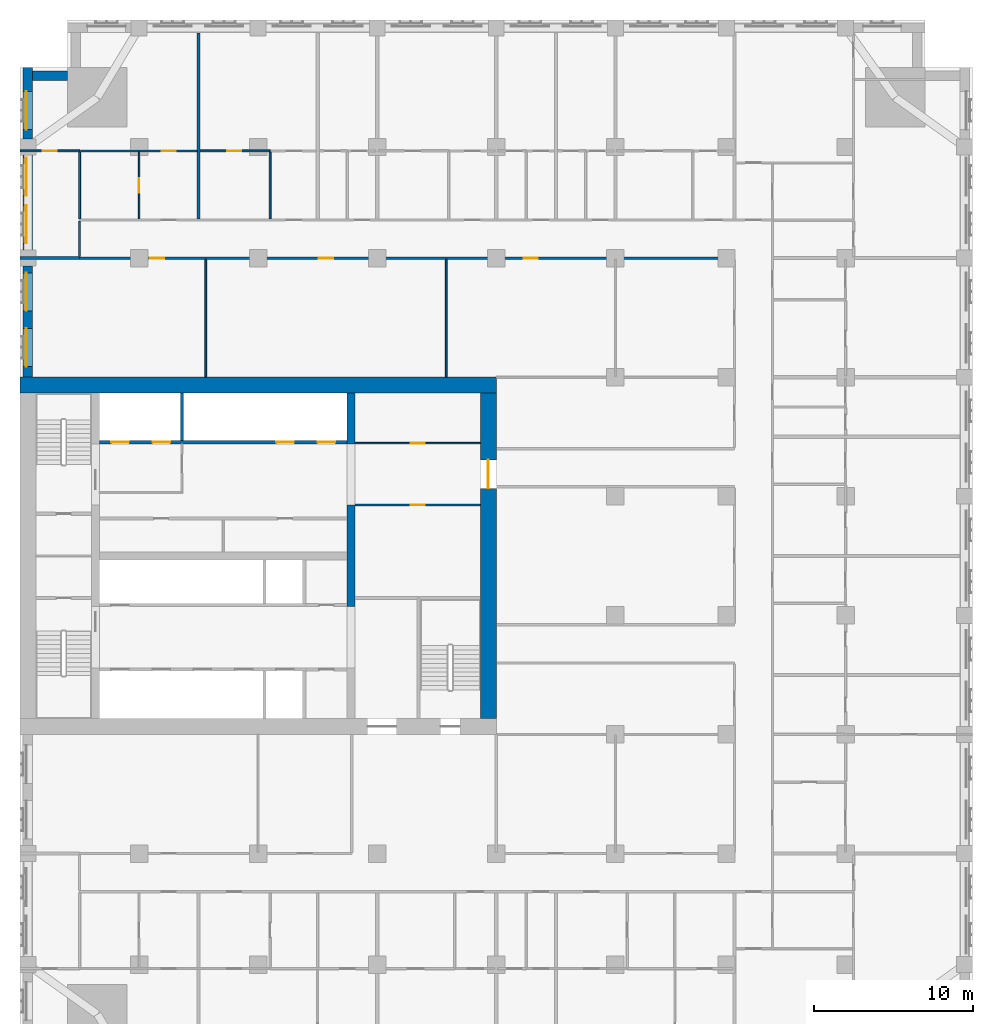
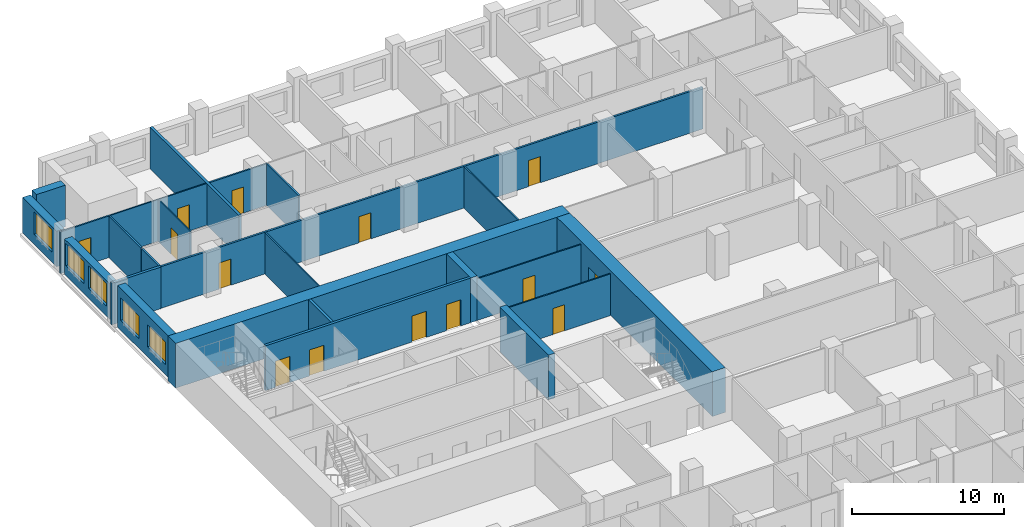
# One storey, part 8 of 14: 24 walls, 14 doors, 5 windows, 19 openings.
"""IFC4 building model written with IfcOpenShell, lengths in metres."""

from ifc_helpers import new_model, si_unit, direction, frame, frame_2d, origin, place, context, subcontext, project, spatial, rectangle, extrude, material, layer, layer_set, type_object, element, fill, save


model = new_model("IFC4")

# Units and contexts
model_context = context("Model", 3, precision=1e-05, world=origin(), true_north=direction((0.0, 1.0)))
body_context = subcontext(model_context, "Body", "Model", "MODEL_VIEW")
ifc_project = project(units=[si_unit("LENGTHUNIT", "METRE"), si_unit("AREAUNIT", "SQUARE_METRE"), si_unit("VOLUMEUNIT", "CUBIC_METRE"), si_unit("PLANEANGLEUNIT", "RADIAN"), si_unit("MASSUNIT", "GRAM", prefix="KILO")], contexts=[model_context])

# Site, building, storey
site_placement = place(None, origin())
site = spatial("IfcSite", under=ifc_project, at=site_placement, CompositionType="ELEMENT")
building_placement = place(site_placement, origin())
building = spatial("IfcBuilding", under=site, at=building_placement, Name="Tamorin Gate", CompositionType="ELEMENT")
storey_placement = place(building_placement, frame((0.0, 0.0, 93.5)))
storey = spatial("IfcBuildingStorey", under=building, at=storey_placement, Name="L22", CompositionType="ELEMENT", Elevation=93.5)

# Wall
ifc_material_1 = material(Name="Precast concrete C40/50", Category="concrete")
ifc_layer_1 = layer(ifc_material_1, 0.60009765625)
ifc_layer_set_1 = layer_set([ifc_layer_1], Name="Precast concrete C40/50")
wall_type_1 = type_object("IfcWallType", Name="Board-marked concrete facade panel 600", PredefinedType="SOLIDWALL", material=ifc_layer_set_1)
wall_1_placement = place(storey_placement, frame((33.0, 101.5, 0.0), z_axis=(0.0, 0.0, 1.0), x_axis=(-1.0, 0.0, 0.0)))
element("IfcWall", 1, at=wall_1_placement, inside=storey, type_object=wall_type_1, Name="Facade panel", PredefinedType="SOLIDWALL", context=body_context, shape_type="SweptSolid", body=[
    extrude(rectangle(XDim=2.199951171875, YDim=0.60009765625, at=frame_2d((1.10009765625, 0.0))), origin(), (0.0, 0.0, 1.0), 3.35009765625),
])

# Wall, opening, window
wall_2_placement = place(storey_placement, frame((30.5, 102.0, 0.0), z_axis=(0.0, 0.0, 1.0), x_axis=(0.0, -1.0, 0.0)))
wall_2 = element("IfcWall", 2, at=wall_2_placement, inside=storey, type_object=wall_type_1, Name="Facade panel", PredefinedType="SOLIDWALL", context=body_context, shape_type="SweptSolid", body=[
    extrude(rectangle(XDim=4.5, YDim=0.60009765625, at=frame_2d((2.25, 0.0))), origin(), (0.0, 0.0, 1.0), 2.85009765625),
])
opening_1_placement = place(wall_2_placement, frame((1.5, 0.0, 0.800048828125)))
opening_1 = element("IfcOpeningElement", 3, at=opening_1_placement, cuts=wall_2, Name="Opening WN1", PredefinedType="OPENING", context=body_context, shape_type="SweptSolid", body=[
    extrude(rectangle(XDim=2.39990234375, YDim=1.800048828125, at=frame_2d((1.199951171875, 0.89990234375))), frame((0.0, 0.31005859375, 0.0), z_axis=(0.0, -1.0, 0.0), x_axis=(1.0, 0.0, 0.0)), (0.0, 0.0, 1.0), 0.6201171875),
])
ifc_material_2 = material(Name="Clear glass in aluminium frame", Category="aluminium")
window_type = type_object("IfcWindowType", Name="Deep-set window 2400x1800", PartitioningType="SINGLE_PANEL", PredefinedType="WINDOW", material=ifc_material_2)
window_1_placement = place(opening_1_placement, origin())
window_1 = element("IfcWindow", 4, at=window_1_placement, inside=storey, type_object=window_type, Name="Deep-set window", OverallHeight=1.800048828125, OverallWidth=2.39990234375, PartitioningType="SINGLE_PANEL", PredefinedType="WINDOW", context=body_context, shape_type="SweptSolid", body=[
    extrude(rectangle(XDim=2.39990234375, YDim=1.800048828125, at=frame_2d((1.199951171875, 0.89990234375))), frame((0.0, -0.070068359375, 0.0), z_axis=(0.0, -1.0, 0.0), x_axis=(1.0, 0.0, 0.0)), (0.0, 0.0, 1.0), 0.06005859375),
])
fill(opening_1, window_1)

# Wall, openings, windows
wall_3_placement = place(storey_placement, frame((30.5, 96.5, 0.0), z_axis=(0.0, 0.0, 1.0), x_axis=(0.0, -1.0, 0.0)))
wall_3 = element("IfcWall", 5, at=wall_3_placement, inside=storey, type_object=wall_type_1, Name="Facade panel", PredefinedType="SOLIDWALL", context=body_context, shape_type="SweptSolid", body=[
    extrude(rectangle(XDim=6.0, YDim=0.60009765625, at=frame_2d((3.0, 0.0))), origin(), (0.0, 0.0, 1.0), 2.85009765625),
])
opening_2_placement = place(wall_3_placement, frame((3.175048828125, 0.0, 0.800048828125)))
opening_2 = element("IfcOpeningElement", 6, at=opening_2_placement, cuts=wall_3, Name="Opening WN1", PredefinedType="OPENING", context=body_context, shape_type="SweptSolid", body=[
    extrude(rectangle(XDim=2.39990234375, YDim=1.800048828125, at=frame_2d((1.199951171875, 0.89990234375))), frame((0.0, 0.31005859375, 0.0), z_axis=(0.0, -1.0, 0.0), x_axis=(1.0, 0.0, 0.0)), (0.0, 0.0, 1.0), 0.6201171875),
])
opening_3_placement = place(wall_3_placement, frame((0.175048828125, 0.0, 0.800048828125)))
opening_3 = element("IfcOpeningElement", 7, at=opening_3_placement, cuts=wall_3, Name="Opening WN1", PredefinedType="OPENING", context=body_context, shape_type="SweptSolid", body=[
    extrude(rectangle(XDim=2.39990234375, YDim=1.800048828125, at=frame_2d((1.199951171875, 0.89990234375))), frame((0.0, 0.31005859375, 0.0), z_axis=(0.0, -1.0, 0.0), x_axis=(1.0, 0.0, 0.0)), (0.0, 0.0, 1.0), 0.6201171875),
])
window_2_placement = place(opening_2_placement, origin())
window_2 = element("IfcWindow", 8, at=window_2_placement, inside=storey, type_object=window_type, Name="Deep-set window", OverallHeight=1.800048828125, OverallWidth=2.39990234375, PartitioningType="SINGLE_PANEL", PredefinedType="WINDOW", context=body_context, shape_type="SweptSolid", body=[
    extrude(rectangle(XDim=2.39990234375, YDim=1.800048828125, at=frame_2d((1.199951171875, 0.89990234375))), frame((0.0, -0.070068359375, 0.0), z_axis=(0.0, -1.0, 0.0), x_axis=(1.0, 0.0, 0.0)), (0.0, 0.0, 1.0), 0.06005859375),
])
fill(opening_2, window_2)
window_3_placement = place(opening_3_placement, origin())
window_3 = element("IfcWindow", 9, at=window_3_placement, inside=storey, type_object=window_type, Name="Deep-set window", OverallHeight=1.800048828125, OverallWidth=2.39990234375, PartitioningType="SINGLE_PANEL", PredefinedType="WINDOW", context=body_context, shape_type="SweptSolid", body=[
    extrude(rectangle(XDim=2.39990234375, YDim=1.800048828125, at=frame_2d((1.199951171875, 0.89990234375))), frame((0.0, -0.070068359375, 0.0), z_axis=(0.0, -1.0, 0.0), x_axis=(1.0, 0.0, 0.0)), (0.0, 0.0, 1.0), 0.06005859375),
])
fill(opening_3, window_3)

wall_4_placement = place(storey_placement, frame((30.5, 89.5, 0.0), z_axis=(0.0, 0.0, 1.0), x_axis=(0.0, -1.0, 0.0)))
wall_4 = element("IfcWall", 10, at=wall_4_placement, inside=storey, type_object=wall_type_1, Name="Facade panel", PredefinedType="SOLIDWALL", context=body_context, shape_type="SweptSolid", body=[
    extrude(rectangle(XDim=7.0, YDim=0.60009765625, at=frame_2d((3.5, 0.0))), origin(), (0.0, 0.0, 1.0), 3.35009765625),
])
opening_4_placement = place(wall_4_placement, frame((3.925048828125, 0.0, 0.800048828125)))
opening_4 = element("IfcOpeningElement", 11, at=opening_4_placement, cuts=wall_4, Name="Opening WN1", PredefinedType="OPENING", context=body_context, shape_type="SweptSolid", body=[
    extrude(rectangle(XDim=2.39990234375, YDim=1.800048828125, at=frame_2d((1.199951171875, 0.89990234375))), frame((0.0, 0.31005859375, 0.0), z_axis=(0.0, -1.0, 0.0), x_axis=(1.0, 0.0, 0.0)), (0.0, 0.0, 1.0), 0.6201171875),
])
opening_5_placement = place(wall_4_placement, frame((0.425048828125, 0.0, 0.800048828125)))
opening_5 = element("IfcOpeningElement", 12, at=opening_5_placement, cuts=wall_4, Name="Opening WN1", PredefinedType="OPENING", context=body_context, shape_type="SweptSolid", body=[
    extrude(rectangle(XDim=2.39990234375, YDim=1.800048828125, at=frame_2d((1.199951171875, 0.89990234375))), frame((0.0, 0.31005859375, 0.0), z_axis=(0.0, -1.0, 0.0), x_axis=(1.0, 0.0, 0.0)), (0.0, 0.0, 1.0), 0.6201171875),
])
window_4_placement = place(opening_4_placement, origin())
window_4 = element("IfcWindow", 13, at=window_4_placement, inside=storey, type_object=window_type, Name="Deep-set window", OverallHeight=1.800048828125, OverallWidth=2.39990234375, PartitioningType="SINGLE_PANEL", PredefinedType="WINDOW", context=body_context, shape_type="SweptSolid", body=[
    extrude(rectangle(XDim=2.39990234375, YDim=1.800048828125, at=frame_2d((1.199951171875, 0.89990234375))), frame((0.0, -0.070068359375, 0.0), z_axis=(0.0, -1.0, 0.0), x_axis=(1.0, 0.0, 0.0)), (0.0, 0.0, 1.0), 0.06005859375),
])
fill(opening_4, window_4)
window_5_placement = place(opening_5_placement, origin())
window_5 = element("IfcWindow", 14, at=window_5_placement, inside=storey, type_object=window_type, Name="Deep-set window", OverallHeight=1.800048828125, OverallWidth=2.39990234375, PartitioningType="SINGLE_PANEL", PredefinedType="WINDOW", context=body_context, shape_type="SweptSolid", body=[
    extrude(rectangle(XDim=2.39990234375, YDim=1.800048828125, at=frame_2d((1.199951171875, 0.89990234375))), frame((0.0, -0.070068359375, 0.0), z_axis=(0.0, -1.0, 0.0), x_axis=(1.0, 0.0, 0.0)), (0.0, 0.0, 1.0), 0.06005859375),
])
fill(opening_5, window_5)

# Wall, openings, doors
ifc_material_3 = material(Name="Gypsum board partition")
ifc_layer_2 = layer(ifc_material_3, 0.14990234375)
ifc_layer_set_2 = layer_set([ifc_layer_2], Name="Corridor wall 150")
wall_type_2 = type_object("IfcWallType", Name="Corridor wall 150", PredefinedType="PARTITIONING", material=ifc_layer_set_2)
wall_5_placement = place(storey_placement, frame((33.75, 90.0, 0.0), z_axis=(0.0, 0.0, 1.0), x_axis=(1.0, 0.0, 0.0)))
wall_5 = element("IfcWall", 15, at=wall_5_placement, inside=storey, type_object=wall_type_2, Name="Corridor wall 150", PredefinedType="PARTITIONING", context=body_context, shape_type="SweptSolid", body=[
    extrude(rectangle(XDim=41.25, YDim=0.14990234375, at=frame_2d((20.625, 0.0))), origin(), (0.0, 0.0, 1.0), 3.35009765625),
])
opening_6_placement = place(wall_5_placement, frame((4.425048828125, 0.0, 0.0)))
opening_6 = element("IfcOpeningElement", 16, at=opening_6_placement, cuts=wall_5, Name="Opening DH5076", PredefinedType="OPENING", context=body_context, shape_type="SweptSolid", body=[
    extrude(rectangle(XDim=0.89990234375, YDim=2.10009765625, at=frame_2d((0.449951171875, 1.050048828125))), frame((0.0, 0.0849609375, 0.0), z_axis=(0.0, -1.0, 0.0), x_axis=(1.0, 0.0, 0.0)), (0.0, 0.0, 1.0), 0.169921875),
])
opening_7_placement = place(wall_5_placement, frame((15.074951171875, 0.0, 0.0)))
opening_7 = element("IfcOpeningElement", 17, at=opening_7_placement, cuts=wall_5, Name="Opening DH5077", PredefinedType="OPENING", context=body_context, shape_type="SweptSolid", body=[
    extrude(rectangle(XDim=0.89990234375, YDim=2.10009765625, at=frame_2d((0.449951171875, 1.050048828125))), frame((0.0, 0.0849609375, 0.0), z_axis=(0.0, -1.0, 0.0), x_axis=(1.0, 0.0, 0.0)), (0.0, 0.0, 1.0), 0.169921875),
])
opening_8_placement = place(wall_5_placement, frame((27.97509765625, 0.0, 0.0)))
opening_8 = element("IfcOpeningElement", 18, at=opening_8_placement, cuts=wall_5, Name="Opening DH5078", PredefinedType="OPENING", context=body_context, shape_type="SweptSolid", body=[
    extrude(rectangle(XDim=0.89990234375, YDim=2.10009765625, at=frame_2d((0.449951171875, 1.050048828125))), frame((0.0, 0.0849609375, 0.0), z_axis=(0.0, -1.0, 0.0), x_axis=(1.0, 0.0, 0.0)), (0.0, 0.0, 1.0), 0.169921875),
])
ifc_material_4 = material(Name="Timber door leaf", Category="wood")
door_type_1 = type_object("IfcDoorType", Name="Door 900 x 2100 FD30S", OperationType="NOTDEFINED", PredefinedType="DOOR", material=ifc_material_4)
door_1_placement = place(opening_6_placement, origin())
door_1 = element("IfcDoor", 19, at=door_1_placement, inside=storey, type_object=door_type_1, Name="Door DH5076", OperationType="SINGLE_SWING_LEFT", OverallHeight=2.10009765625, OverallWidth=0.89990234375, PredefinedType="DOOR", context=body_context, shape_type="SweptSolid", body=[
    extrude(rectangle(XDim=0.89990234375, YDim=2.10009765625, at=frame_2d((0.449951171875, 1.050048828125))), frame((0.0, 0.02490234375, 0.0), z_axis=(0.0, -1.0, 0.0), x_axis=(1.0, 0.0, 0.0)), (0.0, 0.0, 1.0), 0.050048828125),
])
fill(opening_6, door_1)
door_2_placement = place(opening_7_placement, origin())
door_2 = element("IfcDoor", 20, at=door_2_placement, inside=storey, type_object=door_type_1, Name="Door DH5077", OperationType="SINGLE_SWING_RIGHT", OverallHeight=2.10009765625, OverallWidth=0.89990234375, PredefinedType="DOOR", context=body_context, shape_type="SweptSolid", body=[
    extrude(rectangle(XDim=0.89990234375, YDim=2.10009765625, at=frame_2d((0.449951171875, 1.050048828125))), frame((0.0, 0.02490234375, 0.0), z_axis=(0.0, -1.0, 0.0), x_axis=(1.0, 0.0, 0.0)), (0.0, 0.0, 1.0), 0.050048828125),
])
fill(opening_7, door_2)
door_3_placement = place(opening_8_placement, origin())
door_3 = element("IfcDoor", 21, at=door_3_placement, inside=storey, type_object=door_type_1, Name="Door DH5078", OperationType="SINGLE_SWING_RIGHT", OverallHeight=2.10009765625, OverallWidth=0.89990234375, PredefinedType="DOOR", context=body_context, shape_type="SweptSolid", body=[
    extrude(rectangle(XDim=0.89990234375, YDim=2.10009765625, at=frame_2d((0.449951171875, 1.050048828125))), frame((0.0, 0.02490234375, 0.0), z_axis=(0.0, -1.0, 0.0), x_axis=(1.0, 0.0, 0.0)), (0.0, 0.0, 1.0), 0.050048828125),
])
fill(opening_8, door_3)

# Walls
wall_6_placement = place(storey_placement, frame((33.75, 90.10009765625, 0.0), z_axis=(0.0, 0.0, 1.0), x_axis=(0.0, 1.0, 0.0)))
element("IfcWall", 22, at=wall_6_placement, inside=storey, type_object=wall_type_2, Name="Corridor wall 150", PredefinedType="PARTITIONING", context=body_context, shape_type="SweptSolid", body=[
    extrude(rectangle(XDim=2.224853515625, YDim=0.14990234375, at=frame_2d((1.1123046875, 0.0))), origin(), (0.0, 0.0, 1.0), 3.35009765625),
])
ifc_layer_3 = layer(ifc_material_3, 0.199951171875)
ifc_layer_set_3 = layer_set([ifc_layer_3], Name="Demising wall 200")
wall_type_3 = type_object("IfcWallType", Name="Demising wall 200", PredefinedType="PARTITIONING", material=ifc_layer_set_3)
wall_7_placement = place(storey_placement, frame((30.0, 90.0, 0.0), z_axis=(0.0, 0.0, 1.0), x_axis=(1.0, 0.0, 0.0)))
element("IfcWall", 23, at=wall_7_placement, inside=storey, type_object=wall_type_3, Name="Demising wall 200", PredefinedType="PARTITIONING", context=body_context, shape_type="SweptSolid", body=[
    extrude(rectangle(XDim=3.75, YDim=0.199951171875, at=frame_2d((1.875, 0.0))), origin(), (0.0, 0.0, 1.0), 3.35009765625),
])
wall_8_placement = place(storey_placement, frame((41.25, 92.47509765625, 0.0), z_axis=(0.0, 0.0, 1.0), x_axis=(0.0, 1.0, 0.0)))
element("IfcWall", 24, at=wall_8_placement, inside=storey, type_object=wall_type_3, Name="Demising wall 200", PredefinedType="PARTITIONING", context=body_context, shape_type="SweptSolid", body=[
    extrude(rectangle(XDim=11.71484375, YDim=0.199951171875, at=frame_2d((5.857421875, 0.0))), origin(), (0.0, 0.0, 1.0), 3.35009765625),
])

# Wall, openings, doors
ifc_material_5 = material(Name="Concrete C32/40", Category="concrete")
ifc_layer_4 = layer(ifc_material_5, 0.199951171875)
ifc_layer_set_4 = layer_set([ifc_layer_4], Name="Lift lobby face wall 200 EI 120")
wall_type_4 = type_object("IfcWallType", Name="Lift lobby face wall 200 EI 120", PredefinedType="SOLIDWALL", material=ifc_layer_set_4)
wall_9_placement = place(storey_placement, frame((35.0, 78.39990234375, 0.0), z_axis=(0.0, 0.0, 1.0), x_axis=(1.0, 0.0, 0.0)))
wall_9 = element("IfcWall", 25, at=wall_9_placement, inside=storey, type_object=wall_type_4, Name="Lift lobby face wall", PredefinedType="SOLIDWALL", context=body_context, shape_type="SweptSolid", body=[
    extrude(rectangle(XDim=15.60009765625, YDim=0.199951171875, at=frame_2d((7.800048828125, 0.0))), origin(), (0.0, 0.0, 1.0), 3.60009765625),
])
opening_9_placement = place(wall_9_placement, frame((0.75, 0.0, 0.0)))
opening_9 = element("IfcOpeningElement", 26, at=opening_9_placement, cuts=wall_9, Name="Opening LD17", PredefinedType="OPENING", context=body_context, shape_type="SweptSolid", body=[
    extrude(rectangle(XDim=1.10009765625, YDim=2.10009765625, at=frame_2d((0.550048828125, 1.050048828125))), frame((0.0, 0.10986328125, 0.0), z_axis=(0.0, -1.0, 0.0), x_axis=(1.0, 0.0, 0.0)), (0.0, 0.0, 1.0), 0.219970703125),
])
opening_10_placement = place(wall_9_placement, frame((3.35009765625, 0.0, 0.0)))
opening_10 = element("IfcOpeningElement", 27, at=opening_10_placement, cuts=wall_9, Name="Opening LD18", PredefinedType="OPENING", context=body_context, shape_type="SweptSolid", body=[
    extrude(rectangle(XDim=1.10009765625, YDim=2.10009765625, at=frame_2d((0.550048828125, 1.050048828125))), frame((0.0, 0.10986328125, 0.0), z_axis=(0.0, -1.0, 0.0), x_axis=(1.0, 0.0, 0.0)), (0.0, 0.0, 1.0), 0.219970703125),
])
opening_11_placement = place(wall_9_placement, frame((11.14990234375, 0.0, 0.0)))
opening_11 = element("IfcOpeningElement", 28, at=opening_11_placement, cuts=wall_9, Name="Opening LD21", PredefinedType="OPENING", context=body_context, shape_type="SweptSolid", body=[
    extrude(rectangle(XDim=1.10009765625, YDim=2.10009765625, at=frame_2d((0.550048828125, 1.050048828125))), frame((0.0, 0.10986328125, 0.0), z_axis=(0.0, -1.0, 0.0), x_axis=(1.0, 0.0, 0.0)), (0.0, 0.0, 1.0), 0.219970703125),
])
opening_12_placement = place(wall_9_placement, frame((13.75, 0.0, 0.0)))
opening_12 = element("IfcOpeningElement", 29, at=opening_12_placement, cuts=wall_9, Name="Opening LD22", PredefinedType="OPENING", context=body_context, shape_type="SweptSolid", body=[
    extrude(rectangle(XDim=1.10009765625, YDim=2.10009765625, at=frame_2d((0.550048828125, 1.050048828125))), frame((0.0, 0.10986328125, 0.0), z_axis=(0.0, -1.0, 0.0), x_axis=(1.0, 0.0, 0.0)), (0.0, 0.0, 1.0), 0.219970703125),
])
ifc_material_6 = material(Name="Stainless steel sliding door", Category="steel")
door_type_2 = type_object("IfcDoorType", Name="Lift landing door 1100 x 2100 E 90", OperationType="DOUBLE_DOOR_SLIDING", PredefinedType="DOOR", material=ifc_material_6)
door_4_placement = place(opening_9_placement, origin())
door_4 = element("IfcDoor", 30, at=door_4_placement, inside=storey, type_object=door_type_2, Name="FF1 landing door", OperationType="DOUBLE_DOOR_SLIDING", OverallHeight=2.10009765625, OverallWidth=1.10009765625, PredefinedType="DOOR", context=body_context, shape_type="SweptSolid", body=[
    extrude(rectangle(XDim=1.10009765625, YDim=2.10009765625, at=frame_2d((0.550048828125, 1.050048828125))), frame((0.0, 0.02490234375, 0.0), z_axis=(0.0, -1.0, 0.0), x_axis=(1.0, 0.0, 0.0)), (0.0, 0.0, 1.0), 0.050048828125),
])
fill(opening_9, door_4)
door_5_placement = place(opening_10_placement, origin())
door_5 = element("IfcDoor", 31, at=door_5_placement, inside=storey, type_object=door_type_2, Name="FF2 landing door", OperationType="DOUBLE_DOOR_SLIDING", OverallHeight=2.10009765625, OverallWidth=1.10009765625, PredefinedType="DOOR", context=body_context, shape_type="SweptSolid", body=[
    extrude(rectangle(XDim=1.10009765625, YDim=2.10009765625, at=frame_2d((0.550048828125, 1.050048828125))), frame((0.0, 0.02490234375, 0.0), z_axis=(0.0, -1.0, 0.0), x_axis=(1.0, 0.0, 0.0)), (0.0, 0.0, 1.0), 0.050048828125),
])
fill(opening_10, door_5)
door_6_placement = place(opening_11_placement, origin())
door_6 = element("IfcDoor", 32, at=door_6_placement, inside=storey, type_object=door_type_2, Name="SV1 landing door", OperationType="DOUBLE_DOOR_SLIDING", OverallHeight=2.10009765625, OverallWidth=1.10009765625, PredefinedType="DOOR", context=body_context, shape_type="SweptSolid", body=[
    extrude(rectangle(XDim=1.10009765625, YDim=2.10009765625, at=frame_2d((0.550048828125, 1.050048828125))), frame((0.0, 0.02490234375, 0.0), z_axis=(0.0, -1.0, 0.0), x_axis=(1.0, 0.0, 0.0)), (0.0, 0.0, 1.0), 0.050048828125),
])
fill(opening_11, door_6)
door_7_placement = place(opening_12_placement, origin())
door_7 = element("IfcDoor", 33, at=door_7_placement, inside=storey, type_object=door_type_2, Name="SV2 landing door", OperationType="DOUBLE_DOOR_SLIDING", OverallHeight=2.10009765625, OverallWidth=1.10009765625, PredefinedType="DOOR", context=body_context, shape_type="SweptSolid", body=[
    extrude(rectangle(XDim=1.10009765625, YDim=2.10009765625, at=frame_2d((0.550048828125, 1.050048828125))), frame((0.0, 0.02490234375, 0.0), z_axis=(0.0, -1.0, 0.0), x_axis=(1.0, 0.0, 0.0)), (0.0, 0.0, 1.0), 0.050048828125),
])
fill(opening_12, door_7)

# Walls
ifc_layer_5 = layer(ifc_material_5, 0.199951171875)
ifc_layer_set_5 = layer_set([ifc_layer_5], Name="Lift shaft wall 200 EI 120")
wall_type_5 = type_object("IfcWallType", Name="Lift shaft wall 200 EI 120", PredefinedType="SOLIDWALL", material=ifc_layer_set_5)
wall_10_placement = place(storey_placement, frame((40.199951171875, 78.5, 0.0), z_axis=(0.0, 0.0, 1.0), x_axis=(0.0, 1.0, 0.0)))
element("IfcWall", 34, at=wall_10_placement, inside=storey, type_object=wall_type_5, Name="Lift shaft wall", PredefinedType="SOLIDWALL", context=body_context, shape_type="SweptSolid", body=[
    extrude(rectangle(XDim=3.0, YDim=0.199951171875, at=frame_2d((1.5, 0.0))), origin(), (0.0, 0.0, 1.0), 3.60009765625),
])
ifc_material_7 = material(Name="Concrete C80/95", Category="concrete")
ifc_layer_6 = layer(ifc_material_7, 0.5)
ifc_layer_set_6 = layer_set([ifc_layer_6], Name="RC core internal wall 500 C80/95")
wall_type_6 = type_object("IfcWallType", Name="RC core internal wall 500 C80/95", PredefinedType="SHEAR", material=ifc_layer_set_6)
wall_11_placement = place(storey_placement, frame((50.85009765625, 68.050048828125, 0.0), z_axis=(0.0, 0.0, 1.0), x_axis=(0.0, 1.0, 0.0)))
element("IfcWall", 35, at=wall_11_placement, inside=storey, type_object=wall_type_6, Name="Core cross wall L22", PredefinedType="SHEAR", context=body_context, shape_type="SweptSolid", body=[
    extrude(rectangle(XDim=6.39990234375, YDim=0.5, at=frame_2d((3.199951171875, 0.0))), origin(), (0.0, 0.0, 1.0), 3.60009765625),
])
wall_12_placement = place(storey_placement, frame((50.85009765625, 78.300048828125, 0.0), z_axis=(0.0, 0.0, 1.0), x_axis=(0.0, 1.0, 0.0)))
element("IfcWall", 36, at=wall_12_placement, inside=storey, type_object=wall_type_6, Name="Core cross wall L22", PredefinedType="SHEAR", context=body_context, shape_type="SweptSolid", body=[
    extrude(rectangle(XDim=3.199951171875, YDim=0.5, at=frame_2d((1.60009765625, 0.0))), origin(), (0.0, 0.0, 1.0), 3.60009765625),
])
ifc_layer_7 = layer(ifc_material_7, 1.0)
ifc_layer_set_7 = layer_set([ifc_layer_7], Name="RC core wall 1000 C80/95")
wall_type_7 = type_object("IfcWallType", Name="RC core wall 1000 C80/95", PredefinedType="SHEAR", material=ifc_layer_set_7)
wall_13_placement = place(storey_placement, frame((30.0, 82.0, 0.0), z_axis=(0.0, 0.0, 1.0), x_axis=(1.0, 0.0, 0.0)))
element("IfcWall", 37, at=wall_13_placement, inside=storey, type_object=wall_type_7, Name="Core wall L22", PredefinedType="SHEAR", context=body_context, shape_type="SweptSolid", body=[
    extrude(rectangle(XDim=30.0, YDim=1.0, at=frame_2d((15.0, 0.0))), origin(), (0.0, 0.0, 1.0), 3.60009765625),
])

# Wall, opening, door
wall_14_placement = place(storey_placement, frame((59.5, 61.0, 0.0), z_axis=(0.0, 0.0, 1.0), x_axis=(0.0, 1.0, 0.0)))
wall_14 = element("IfcWall", 38, at=wall_14_placement, inside=storey, type_object=wall_type_7, Name="Core wall L22", PredefinedType="SHEAR", context=body_context, shape_type="SweptSolid", body=[
    extrude(rectangle(XDim=20.5, YDim=1.0, at=frame_2d((10.25, 0.0))), origin(), (0.0, 0.0, 1.0), 3.60009765625),
])
opening_13_placement = place(wall_14_placement, frame((14.5, 0.0, 0.0)))
opening_13 = element("IfcOpeningElement", 39, at=opening_13_placement, cuts=wall_14, Name="Opening DE1", PredefinedType="OPENING", context=body_context, shape_type="SweptSolid", body=[
    extrude(rectangle(XDim=1.800048828125, YDim=2.10009765625, at=frame_2d((0.89990234375, 1.050048828125))), frame((0.0, 0.510009765625, 0.0), z_axis=(0.0, -1.0, 0.0), x_axis=(1.0, 0.0, 0.0)), (0.0, 0.0, 1.0), 1.02001953125),
])
ifc_material_8 = material(Name="Steel fire door", Category="steel")
door_type_3 = type_object("IfcDoorType", Name="Lobby exit double door 1800 x 2100 EI 60", OperationType="DOUBLE_DOOR_SINGLE_SWING", PredefinedType="DOOR", material=ifc_material_8)
door_8_placement = place(opening_13_placement, origin())
door_8 = element("IfcDoor", 40, at=door_8_placement, inside=storey, type_object=door_type_3, Name="Lift lobby B exit door", OperationType="DOUBLE_DOOR_SINGLE_SWING", OverallHeight=2.10009765625, OverallWidth=1.800048828125, PredefinedType="DOOR", context=body_context, shape_type="SweptSolid", body=[
    extrude(rectangle(XDim=1.800048828125, YDim=2.10009765625, at=frame_2d((0.89990234375, 1.050048828125))), frame((0.0, 0.02490234375, 0.0), z_axis=(0.0, -1.0, 0.0), x_axis=(1.0, 0.0, 0.0)), (0.0, 0.0, 1.0), 0.050048828125),
])
fill(opening_13, door_8)

ifc_layer_8 = layer(ifc_material_3, 0.10009765625)
ifc_layer_set_8 = layer_set([ifc_layer_8], Name="Room partition 100")
wall_type_8 = type_object("IfcWallType", Name="Room partition 100", PredefinedType="PARTITIONING", material=ifc_layer_set_8)
wall_15_placement = place(storey_placement, frame((33.8125, 96.75, 0.0), z_axis=(0.0, 0.0, 1.0), x_axis=(1.0, 0.0, 0.0)))
wall_15 = element("IfcWall", 41, at=wall_15_placement, inside=storey, type_object=wall_type_8, Name="Room partition 100", PredefinedType="PARTITIONING", context=body_context, shape_type="SweptSolid", body=[
    extrude(rectangle(XDim=7.33740234375, YDim=0.10009765625, at=frame_2d((3.668701171875, 0.0))), origin(), (0.0, 0.0, 1.0), 3.35009765625),
])
opening_14_placement = place(wall_15_placement, frame((5.112548828125, 0.0, 0.0)))
opening_14 = element("IfcOpeningElement", 42, at=opening_14_placement, cuts=wall_15, Name="Opening DH5024", PredefinedType="OPENING", context=body_context, shape_type="SweptSolid", body=[
    extrude(rectangle(XDim=0.89990234375, YDim=2.10009765625, at=frame_2d((0.449951171875, 1.050048828125))), frame((0.0, 0.06005859375, 0.0), z_axis=(0.0, -1.0, 0.0), x_axis=(1.0, 0.0, 0.0)), (0.0, 0.0, 1.0), 0.1201171875),
])
door_type_4 = type_object("IfcDoorType", Name="Door 900 x 2100", OperationType="NOTDEFINED", PredefinedType="DOOR", material=ifc_material_4)
door_9_placement = place(opening_14_placement, origin())
door_9 = element("IfcDoor", 43, at=door_9_placement, inside=storey, type_object=door_type_4, Name="Door DH5024", OperationType="SINGLE_SWING_RIGHT", OverallHeight=2.10009765625, OverallWidth=0.89990234375, PredefinedType="DOOR", context=body_context, shape_type="SweptSolid", body=[
    extrude(rectangle(XDim=0.89990234375, YDim=2.10009765625, at=frame_2d((0.449951171875, 1.050048828125))), frame((0.0, 0.02490234375, 0.0), z_axis=(0.0, -1.0, 0.0), x_axis=(1.0, 0.0, 0.0)), (0.0, 0.0, 1.0), 0.050048828125),
])
fill(opening_14, door_9)

wall_16_placement = place(storey_placement, frame((37.5, 92.47509765625, 0.0), z_axis=(0.0, 0.0, 1.0), x_axis=(0.0, 1.0, 0.0)))
wall_16 = element("IfcWall", 44, at=wall_16_placement, inside=storey, type_object=wall_type_8, Name="Room partition 100", PredefinedType="PARTITIONING", context=body_context, shape_type="SweptSolid", body=[
    extrude(rectangle(XDim=4.224853515625, YDim=0.10009765625, at=frame_2d((2.1123046875, 0.0))), origin(), (0.0, 0.0, 1.0), 3.35009765625),
])
opening_15_placement = place(wall_16_placement, frame((1.64990234375, 0.0, 0.0)))
opening_15 = element("IfcOpeningElement", 45, at=opening_15_placement, cuts=wall_16, Name="Opening DH5022", PredefinedType="OPENING", context=body_context, shape_type="SweptSolid", body=[
    extrude(rectangle(XDim=0.89990234375, YDim=2.10009765625, at=frame_2d((0.449951171875, 1.050048828125))), frame((0.0, 0.06005859375, 0.0), z_axis=(0.0, -1.0, 0.0), x_axis=(1.0, 0.0, 0.0)), (0.0, 0.0, 1.0), 0.1201171875),
])
door_10_placement = place(opening_15_placement, origin())
door_10 = element("IfcDoor", 46, at=door_10_placement, inside=storey, type_object=door_type_4, Name="Door DH5022", OperationType="SINGLE_SWING_RIGHT", OverallHeight=2.10009765625, OverallWidth=0.89990234375, PredefinedType="DOOR", context=body_context, shape_type="SweptSolid", body=[
    extrude(rectangle(XDim=0.89990234375, YDim=2.10009765625, at=frame_2d((0.449951171875, 1.050048828125))), frame((0.0, 0.02490234375, 0.0), z_axis=(0.0, -1.0, 0.0), x_axis=(1.0, 0.0, 0.0)), (0.0, 0.0, 1.0), 0.050048828125),
])
fill(opening_15, door_10)

# Walls
for number, where, z_axis, x_axis, name in (
    (47, (41.699951171875, 82.5, 0.0), (0.0, 0.0, 1.0), (0.0, 1.0, 0.0), "Room partition 100"),
    (48, (56.85009765625, 82.5, 0.0), (0.0, 0.0, 1.0), (0.0, 1.0, 0.0), "Room partition 100"),
):
    element("IfcWall", number, at=place(storey_placement, frame(where, z_axis=z_axis, x_axis=x_axis)), inside=storey, type_object=wall_type_8, Name=name, PredefinedType="PARTITIONING", context=body_context, shape_type="SweptSolid", body=[
        extrude(rectangle(XDim=7.425048828125, YDim=0.10009765625, at=frame_2d((3.71240234375, 0.0))), origin(), (0.0, 0.0, 1.0), 3.35009765625),
    ])

# Wall, opening, door
ifc_layer_9 = layer(ifc_material_3, 0.10009765625)
ifc_layer_set_9 = layer_set([ifc_layer_9], Name="Service room partition 100 EI 60")
wall_type_9 = type_object("IfcWallType", Name="Service room partition 100 EI 60", PredefinedType="PARTITIONING", material=ifc_layer_set_9)
wall_17_placement = place(storey_placement, frame((51.10009765625, 74.449951171875, 0.0), z_axis=(0.0, 0.0, 1.0), x_axis=(1.0, 0.0, 0.0)))
wall_17 = element("IfcWall", 49, at=wall_17_placement, inside=storey, type_object=wall_type_9, Name="Service room wall", PredefinedType="PARTITIONING", context=body_context, shape_type="SweptSolid", body=[
    extrude(rectangle(XDim=7.89990234375, YDim=0.10009765625, at=frame_2d((3.949951171875, 0.0))), origin(), (0.0, 0.0, 1.0), 3.35009765625),
])
opening_16_placement = place(wall_17_placement, frame((3.5, 0.0, 0.0)))
opening_16 = element("IfcOpeningElement", 50, at=opening_16_placement, cuts=wall_17, Name="Opening DR1", PredefinedType="OPENING", context=body_context, shape_type="SweptSolid", body=[
    extrude(rectangle(XDim=0.89990234375, YDim=2.10009765625, at=frame_2d((0.449951171875, 1.050048828125))), frame((0.0, 0.06005859375, 0.0), z_axis=(0.0, -1.0, 0.0), x_axis=(1.0, 0.0, 0.0)), (0.0, 0.0, 1.0), 0.1201171875),
])
door_type_5 = type_object("IfcDoorType", Name="Riser access door 900 x 2100 EI 120", OperationType="SINGLE_SWING_LEFT", PredefinedType="DOOR", material=ifc_material_8)
door_11_placement = place(opening_16_placement, origin())
door_11 = element("IfcDoor", 51, at=door_11_placement, inside=storey, type_object=door_type_5, Name="Duct riser door", OperationType="SINGLE_SWING_RIGHT", OverallHeight=2.10009765625, OverallWidth=0.89990234375, PredefinedType="DOOR", context=body_context, shape_type="SweptSolid", body=[
    extrude(rectangle(XDim=0.89990234375, YDim=2.10009765625, at=frame_2d((0.449951171875, 1.050048828125))), frame((0.0, 0.02490234375, 0.0), z_axis=(0.0, -1.0, 0.0), x_axis=(1.0, 0.0, 0.0)), (0.0, 0.0, 1.0), 0.050048828125),
])
fill(opening_16, door_11)

wall_18_placement = place(storey_placement, frame((51.10009765625, 78.35009765625, 0.0), z_axis=(0.0, 0.0, 1.0), x_axis=(1.0, 0.0, 0.0)))
wall_18 = element("IfcWall", 52, at=wall_18_placement, inside=storey, type_object=wall_type_9, Name="Service room wall", PredefinedType="PARTITIONING", context=body_context, shape_type="SweptSolid", body=[
    extrude(rectangle(XDim=7.89990234375, YDim=0.10009765625, at=frame_2d((3.949951171875, 0.0))), origin(), (0.0, 0.0, 1.0), 3.35009765625),
])
opening_17_placement = place(wall_18_placement, frame((3.5, 0.0, 0.0)))
opening_17 = element("IfcOpeningElement", 53, at=opening_17_placement, cuts=wall_18, Name="Opening DK1", PredefinedType="OPENING", context=body_context, shape_type="SweptSolid", body=[
    extrude(rectangle(XDim=0.89990234375, YDim=2.10009765625, at=frame_2d((0.449951171875, 1.050048828125))), frame((0.0, 0.06005859375, 0.0), z_axis=(0.0, -1.0, 0.0), x_axis=(1.0, 0.0, 0.0)), (0.0, 0.0, 1.0), 0.1201171875),
])
ifc_material_9 = material(Name="Timber fire door", Category="wood")
door_type_6 = type_object("IfcDoorType", Name="Service room door 900 x 2100 EI 60", OperationType="SINGLE_SWING_LEFT", PredefinedType="DOOR", material=ifc_material_9)
door_12_placement = place(opening_17_placement, origin())
door_12 = element("IfcDoor", 54, at=door_12_placement, inside=storey, type_object=door_type_6, Name="Door Pantry", OperationType="SINGLE_SWING_RIGHT", OverallHeight=2.10009765625, OverallWidth=0.89990234375, PredefinedType="DOOR", context=body_context, shape_type="SweptSolid", body=[
    extrude(rectangle(XDim=0.89990234375, YDim=2.10009765625, at=frame_2d((0.449951171875, 1.050048828125))), frame((0.0, 0.02490234375, 0.0), z_axis=(0.0, -1.0, 0.0), x_axis=(1.0, 0.0, 0.0)), (0.0, 0.0, 1.0), 0.050048828125),
])
fill(opening_17, door_12)

ifc_layer_10 = layer(ifc_material_3, 0.125)
ifc_layer_set_10 = layer_set([ifc_layer_10], Name="Wet wall 125")
wall_type_10 = type_object("IfcWallType", Name="Wet wall 125", PredefinedType="PARTITIONING", material=ifc_layer_set_10)
wall_19_placement = place(storey_placement, frame((30.0, 96.75, 0.0), z_axis=(0.0, 0.0, 1.0), x_axis=(1.0, 0.0, 0.0)))
wall_19 = element("IfcWall", 55, at=wall_19_placement, inside=storey, type_object=wall_type_10, Name="Wet wall 125", PredefinedType="PARTITIONING", context=body_context, shape_type="SweptSolid", body=[
    extrude(rectangle(XDim=3.75, YDim=0.125, at=frame_2d((1.875, 0.0))), origin(), (0.0, 0.0, 1.0), 3.35009765625),
])
opening_18_placement = place(wall_19_placement, frame((1.425048828125, 0.0, 0.0)))
opening_18 = element("IfcOpeningElement", 56, at=opening_18_placement, cuts=wall_19, Name="Opening DH5021", PredefinedType="OPENING", context=body_context, shape_type="SweptSolid", body=[
    extrude(rectangle(XDim=0.89990234375, YDim=2.10009765625, at=frame_2d((0.449951171875, 1.050048828125))), frame((0.0, 0.072509765625, 0.0), z_axis=(0.0, -1.0, 0.0), x_axis=(1.0, 0.0, 0.0)), (0.0, 0.0, 1.0), 0.14501953125),
])
door_13_placement = place(opening_18_placement, origin())
door_13 = element("IfcDoor", 57, at=door_13_placement, inside=storey, type_object=door_type_4, Name="Door DH5021", OperationType="SINGLE_SWING_RIGHT", OverallHeight=2.10009765625, OverallWidth=0.89990234375, PredefinedType="DOOR", context=body_context, shape_type="SweptSolid", body=[
    extrude(rectangle(XDim=0.89990234375, YDim=2.10009765625, at=frame_2d((0.449951171875, 1.050048828125))), frame((0.0, 0.02490234375, 0.0), z_axis=(0.0, -1.0, 0.0), x_axis=(1.0, 0.0, 0.0)), (0.0, 0.0, 1.0), 0.050048828125),
])
fill(opening_18, door_13)

wall_20_placement = place(storey_placement, frame((41.35009765625, 96.75, 0.0), z_axis=(0.0, 0.0, 1.0), x_axis=(1.0, 0.0, 0.0)))
wall_20 = element("IfcWall", 58, at=wall_20_placement, inside=storey, type_object=wall_type_10, Name="Wet wall 125", PredefinedType="PARTITIONING", context=body_context, shape_type="SweptSolid", body=[
    extrude(rectangle(XDim=4.39990234375, YDim=0.125, at=frame_2d((2.199951171875, 0.0))), origin(), (0.0, 0.0, 1.0), 3.35009765625),
])
opening_19_placement = place(wall_20_placement, frame((1.699951171875, 0.0, 0.0)))
opening_19 = element("IfcOpeningElement", 59, at=opening_19_placement, cuts=wall_20, Name="Opening DH5025", PredefinedType="OPENING", context=body_context, shape_type="SweptSolid", body=[
    extrude(rectangle(XDim=0.89990234375, YDim=2.10009765625, at=frame_2d((0.449951171875, 1.050048828125))), frame((0.0, 0.072509765625, 0.0), z_axis=(0.0, -1.0, 0.0), x_axis=(1.0, 0.0, 0.0)), (0.0, 0.0, 1.0), 0.14501953125),
])
door_14_placement = place(opening_19_placement, origin())
door_14 = element("IfcDoor", 60, at=door_14_placement, inside=storey, type_object=door_type_4, Name="Door DH5025", OperationType="SINGLE_SWING_RIGHT", OverallHeight=2.10009765625, OverallWidth=0.89990234375, PredefinedType="DOOR", context=body_context, shape_type="SweptSolid", body=[
    extrude(rectangle(XDim=0.89990234375, YDim=2.10009765625, at=frame_2d((0.449951171875, 1.050048828125))), frame((0.0, 0.02490234375, 0.0), z_axis=(0.0, -1.0, 0.0), x_axis=(1.0, 0.0, 0.0)), (0.0, 0.0, 1.0), 0.050048828125),
])
fill(opening_19, door_14)

# Walls
for number, where, z_axis, x_axis, name in (
    (61, (33.75, 92.47509765625, 0.0), (0.0, 0.0, 1.0), (0.0, 1.0, 0.0), "Wet wall 125"),
    (62, (45.75, 92.47509765625, 0.0), (0.0, 0.0, 1.0), (0.0, 1.0, 0.0), "Wet wall 125"),
):
    element("IfcWall", number, at=place(storey_placement, frame(where, z_axis=z_axis, x_axis=x_axis)), inside=storey, type_object=wall_type_10, Name=name, PredefinedType="PARTITIONING", context=body_context, shape_type="SweptSolid", body=[
        extrude(rectangle(XDim=4.21240234375, YDim=0.125, at=frame_2d((2.106201171875, 0.0))), origin(), (0.0, 0.0, 1.0), 3.35009765625),
    ])

save(model, "model.ifc")
